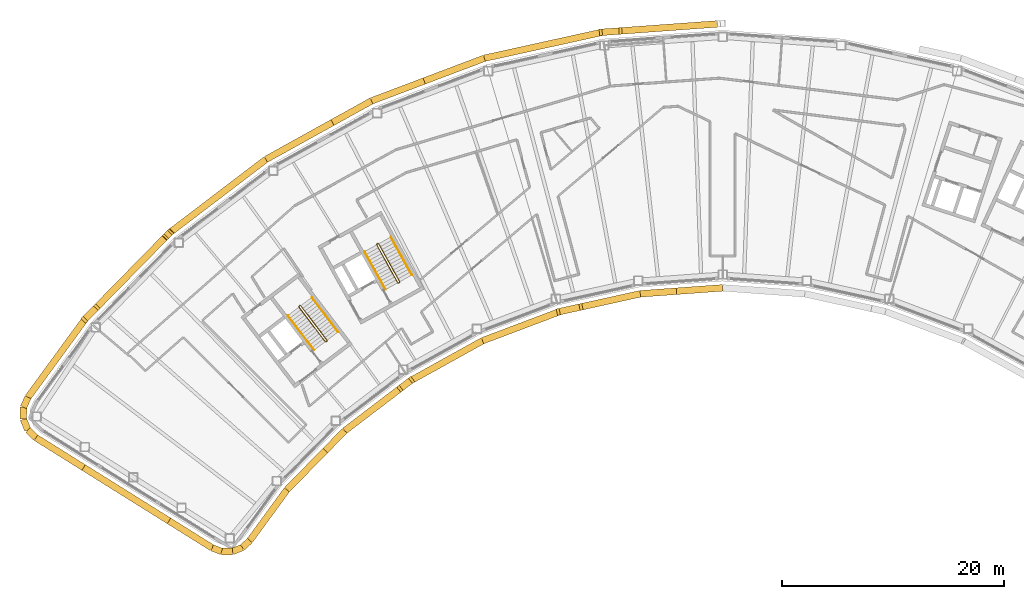
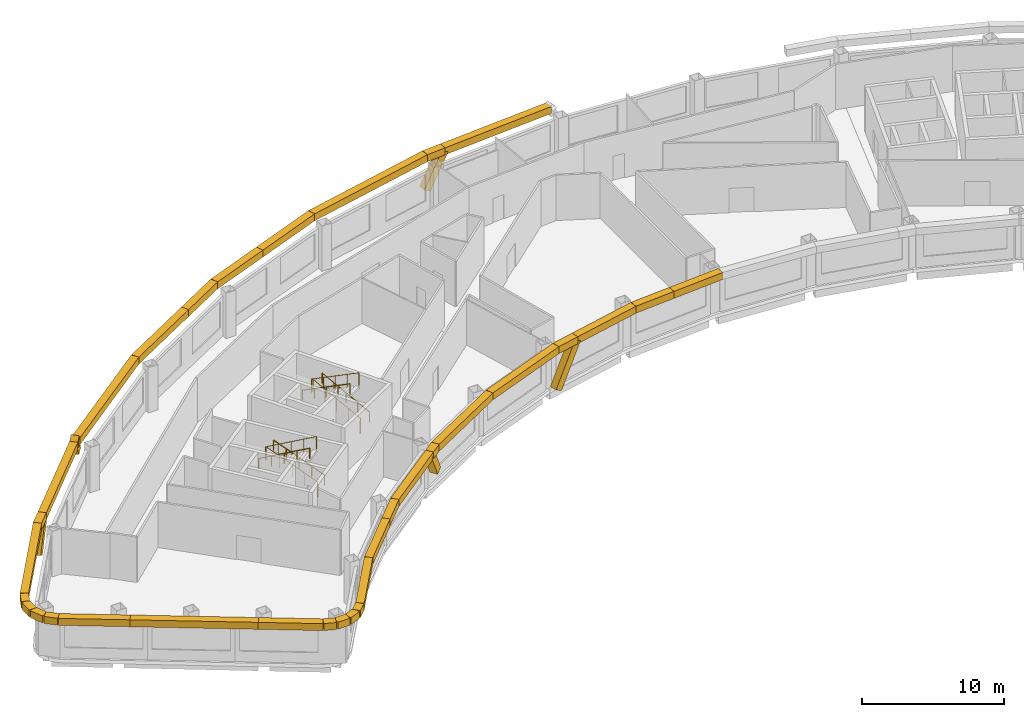
# One storey, part 12 of 13: 40 coverings, 6 railings.
"""IFC4 building model written with IfcOpenShell, lengths in metres."""

from ifc_helpers import new_model, si_unit, direction, frame, origin, origin_2d, place, context, subcontext, project, spatial, rectangle, circle, extrude, material, material_profile, profile_set, type_object, element, save


model = new_model("IFC4")

# Units and contexts
model_context = context("Model", 3, precision=1e-05, world=origin(), true_north=direction((0.0, 1.0)))
body_context = subcontext(model_context, "Body", "Model", "MODEL_VIEW")
ifc_project = project(units=[si_unit("LENGTHUNIT", "METRE"), si_unit("AREAUNIT", "SQUARE_METRE"), si_unit("VOLUMEUNIT", "CUBIC_METRE"), si_unit("PLANEANGLEUNIT", "RADIAN"), si_unit("MASSUNIT", "GRAM", prefix="KILO")], contexts=[model_context])

# Site, building, storey
site_placement = place(None, origin())
site = spatial("IfcSite", under=ifc_project, at=site_placement, CompositionType="ELEMENT")
building_placement = place(site_placement, origin())
building = spatial("IfcBuilding", under=site, at=building_placement, Name="Tuul Gate Civic Tower", CompositionType="ELEMENT")
storey_placement = place(building_placement, frame((0.0, 0.0, 340.699951171875)))
storey = spatial("IfcBuildingStorey", under=building, at=storey_placement, Name="Level 77", CompositionType="ELEMENT", Elevation=340.699951171875)

# Railings
ifc_material_1 = material(Name="Painted steel", Category="steel")
railing_type_1 = type_object("IfcRailingType", Name="Stair guard", PredefinedType="GUARDRAIL", material=ifc_material_1)
railing_1_placement = place(storey_placement, frame((-33.382080078125, -13.515380859375, 0.0)))
element("IfcRailing", 1, at=railing_1_placement, inside=storey, type_object=railing_type_1, Name="Level 77 ST-1 stair guard 1", PredefinedType="GUARDRAIL", context=body_context, shape_type="SweptSolid", body=[
    extrude(circle(Radius=0.02392578125, at=origin_2d()), frame((0.0, 0.0, 1.076171875), z_axis=(-0.795879841968, -0.605454603706, 0.0), x_axis=(0.605454603706, -0.795879841968, 0.0)), (0.0, 0.0, 1.0), 0.10009765625),
    extrude(circle(Radius=0.02392578125, at=origin_2d()), frame((-0.07958984375, -0.060546875, 1.076171875), z_axis=(0.408676696321, 0.599019267211, 0.688592241747), x_axis=(-0.826063974707, 0.563576356576, 0.0)), (0.0, 0.0, 1.0), 0.218017578125),
    extrude(circle(Radius=0.02392578125, at=origin_2d()), frame((0.009521484375, 0.070068359375, 1.22607421875), z_axis=(-0.541824460341, 0.711645023348, 0.447199748346), x_axis=(-0.795637165283, -0.60577347352, 0.0)), (0.0, 0.0, 1.0), 4.3603515625),
    extrude(circle(Radius=0.02392578125, at=origin_2d()), frame((-2.35302734375, 3.173095703125, 3.17626953125), z_axis=(-0.990893089246, 0.134650977284, 0.0), x_axis=(-0.134650977284, -0.990893089246, 0.0)), (0.0, 0.0, 1.0), 0.07080078125),
    extrude(circle(Radius=0.02392578125, at=origin_2d()), frame((-2.423095703125, 3.1826171875, 3.17626953125), z_axis=(-0.793802879778, -0.60817512943, 0.0), x_axis=(0.60817512943, -0.793802879778, 0.0)), (0.0, 0.0, 1.0), 0.099853515625),
    extrude(circle(Radius=0.02392578125, at=origin_2d()), frame((-2.50244140625, 3.121826171875, 3.17626953125), z_axis=(-0.057447065493, -0.422751481959, 0.904423031091), x_axis=(0.990893089246, -0.134650977284, 0.0)), (0.0, 0.0, 1.0), 0.165771484375),
    extrude(circle(Radius=0.02392578125, at=origin_2d()), frame((-2.511962890625, 3.0517578125, 3.326171875), z_axis=(0.541806494602, -0.71163897684, 0.447231136047), x_axis=(0.795644365679, 0.605764016233, 0.0)), (0.0, 0.0, 1.0), 4.360107421875),
    extrude(circle(Radius=0.02099609375, at=origin_2d()), origin(), (0.0, 0.0, 1.0), 1.052001953125),
    extrude(circle(Radius=0.02099609375, at=origin_2d()), frame((-0.07958984375, -0.060546875, 0.0)), (0.0, 0.0, 1.0), 1.052001953125),
    extrude(circle(Radius=0.02099609375, at=origin_2d()), frame((0.009521484375, 0.070068359375, 0.150146484375)), (0.0, 0.0, 1.0), 1.052001953125),
    extrude(circle(Radius=0.02099609375, at=origin_2d()), frame((-0.5810546875, 0.845703125, 0.6376953125)), (0.0, 0.0, 1.0), 1.052001953125),
    extrude(circle(Radius=0.02099609375, at=origin_2d()), frame((-1.171875, 1.62158203125, 1.125)), (0.0, 0.0, 1.0), 1.052001953125),
    extrude(circle(Radius=0.02099609375, at=origin_2d()), frame((-1.762451171875, 2.3974609375, 1.612548828125)), (0.0, 0.0, 1.0), 1.052001953125),
    extrude(circle(Radius=0.02099609375, at=origin_2d()), frame((-2.35302734375, 3.173095703125, 2.10009765625)), (0.0, 0.0, 1.0), 1.052001953125),
    extrude(circle(Radius=0.02099609375, at=origin_2d()), frame((-2.423095703125, 3.1826171875, 2.10009765625)), (0.0, 0.0, 1.0), 1.052001953125),
    extrude(circle(Radius=0.02099609375, at=origin_2d()), frame((-2.50244140625, 3.121826171875, 2.10009765625)), (0.0, 0.0, 1.0), 1.052001953125),
    extrude(circle(Radius=0.02099609375, at=origin_2d()), frame((-2.511962890625, 3.0517578125, 2.25)), (0.0, 0.0, 1.0), 1.052001953125),
    extrude(circle(Radius=0.02099609375, at=origin_2d()), frame((-1.92138671875, 2.276123046875, 2.737548828125)), (0.0, 0.0, 1.0), 1.052001953125),
    extrude(circle(Radius=0.02099609375, at=origin_2d()), frame((-1.330810546875, 1.50048828125, 3.22509765625)), (0.0, 0.0, 1.0), 1.052001953125),
    extrude(circle(Radius=0.02099609375, at=origin_2d()), frame((-0.740234375, 0.724609375, 3.71240234375)), (0.0, 0.0, 1.0), 1.052001953125),
    extrude(circle(Radius=0.02099609375, at=origin_2d()), frame((-0.149658203125, -0.051025390625, 4.199951171875)), (0.0, 0.0, 1.0), 1.052001953125),
])
railing_2_placement = place(storey_placement, frame((-26.857666015625, -8.247314453125, 0.0)))
element("IfcRailing", 2, at=railing_2_placement, inside=storey, type_object=railing_type_1, Name="Level 77 ST-2 stair guard 1", PredefinedType="GUARDRAIL", context=body_context, shape_type="SweptSolid", body=[
    extrude(circle(Radius=0.02392578125, at=origin_2d()), frame((0.0, 0.0, 1.076171875), z_axis=(-0.874616555828, -0.48481530532, 0.0), x_axis=(0.48481530532, -0.874616555828, 0.0)), (0.0, 0.0, 1.0), 0.10009765625),
    extrude(circle(Radius=0.02392578125, at=origin_2d()), frame((-0.087646484375, -0.048583984375, 1.076171875), z_axis=(0.490435707169, 0.534104639999, 0.688625479244), x_axis=(-0.736576986774, 0.676353711126, 0.0)), (0.0, 0.0, 1.0), 0.218017578125),
    extrude(circle(Radius=0.02392578125, at=origin_2d()), frame((0.019287109375, 0.06787109375, 1.22607421875), z_axis=(-0.43354991378, 0.782327185242, 0.447212083348), x_axis=(-0.874667644053, -0.484723129681, 0.0)), (0.0, 0.0, 1.0), 4.3603515625),
    extrude(circle(Radius=0.02392578125, at=origin_2d()), frame((-1.87109375, 3.47900390625, 3.17626953125), z_axis=(-0.961263487578, 0.275631107549, 0.0), x_axis=(-0.275631107549, -0.961263487578, 0.0)), (0.0, 0.0, 1.0), 0.07080078125),
    extrude(circle(Radius=0.02392578125, at=origin_2d()), frame((-1.939208984375, 3.49853515625, 3.17626953125), z_axis=(-0.874042088414, -0.485850211157, 0.0), x_axis=(0.485850211157, -0.874042088414, 0.0)), (0.0, 0.0, 1.0), 0.10009765625),
    extrude(circle(Radius=0.02392578125, at=origin_2d()), frame((-2.026611328125, 3.449951171875, 3.17626953125), z_axis=(-0.117866478395, -0.409586012422, 0.90462522168), x_axis=(0.961000426733, -0.276546885391, 0.0)), (0.0, 0.0, 1.0), 0.165771484375),
    extrude(circle(Radius=0.02392578125, at=origin_2d()), frame((-2.046142578125, 3.382080078125, 3.326171875), z_axis=(0.433595379963, -0.782308193291, 0.447201226726), x_axis=(0.874641102302, 0.484771020343, 0.0)), (0.0, 0.0, 1.0), 4.3603515625),
    extrude(circle(Radius=0.02099609375, at=origin_2d()), origin(), (0.0, 0.0, 1.0), 1.052001953125),
    extrude(circle(Radius=0.02099609375, at=origin_2d()), frame((-0.087646484375, -0.048583984375, 0.0)), (0.0, 0.0, 1.0), 1.052001953125),
    extrude(circle(Radius=0.02099609375, at=origin_2d()), frame((0.019287109375, 0.06787109375, 0.150146484375)), (0.0, 0.0, 1.0), 1.052001953125),
    extrude(circle(Radius=0.02099609375, at=origin_2d()), frame((-0.453369140625, 0.920654296875, 0.6376953125)), (0.0, 0.0, 1.0), 1.052001953125),
    extrude(circle(Radius=0.02099609375, at=origin_2d()), frame((-0.92578125, 1.7734375, 1.125)), (0.0, 0.0, 1.0), 1.052001953125),
    extrude(circle(Radius=0.02099609375, at=origin_2d()), frame((-1.3984375, 2.626220703125, 1.612548828125)), (0.0, 0.0, 1.0), 1.052001953125),
    extrude(circle(Radius=0.02099609375, at=origin_2d()), frame((-1.87109375, 3.47900390625, 2.10009765625)), (0.0, 0.0, 1.0), 1.052001953125),
    extrude(circle(Radius=0.02099609375, at=origin_2d()), frame((-1.939208984375, 3.49853515625, 2.10009765625)), (0.0, 0.0, 1.0), 1.052001953125),
    extrude(circle(Radius=0.02099609375, at=origin_2d()), frame((-2.026611328125, 3.449951171875, 2.10009765625)), (0.0, 0.0, 1.0), 1.052001953125),
    extrude(circle(Radius=0.02099609375, at=origin_2d()), frame((-2.046142578125, 3.382080078125, 2.25)), (0.0, 0.0, 1.0), 1.052001953125),
    extrude(circle(Radius=0.02099609375, at=origin_2d()), frame((-1.573486328125, 2.529296875, 2.737548828125)), (0.0, 0.0, 1.0), 1.052001953125),
    extrude(circle(Radius=0.02099609375, at=origin_2d()), frame((-1.100830078125, 1.676513671875, 3.22509765625)), (0.0, 0.0, 1.0), 1.052001953125),
    extrude(circle(Radius=0.02099609375, at=origin_2d()), frame((-0.628173828125, 0.82373046875, 3.71240234375)), (0.0, 0.0, 1.0), 1.052001953125),
    extrude(circle(Radius=0.02099609375, at=origin_2d()), frame((-0.155517578125, -0.029052734375, 4.199951171875)), (0.0, 0.0, 1.0), 1.052001953125),
])
ifc_material_2 = material(Name="Painted steel", Category="steel")
railing_type_2 = type_object("IfcRailingType", Name="Stair handrail", PredefinedType="HANDRAIL", material=ifc_material_2)
railing_3_placement = place(storey_placement, frame((-32.3779296875, -12.688232421875, 0.150146484375)))
element("IfcRailing", 3, at=railing_3_placement, inside=storey, type_object=railing_type_2, Name="Level 77 ST-1 stair handrail 1", PredefinedType="HANDRAIL", context=body_context, shape_type="SweptSolid", body=[
    extrude(circle(Radius=0.02392578125, at=origin_2d()), frame((0.0, 0.0, 0.8759765625), z_axis=(-0.541824460341, 0.711645023348, 0.447199748346), x_axis=(-0.795637165283, -0.60577347352, 0.0)), (0.0, 0.0, 1.0), 4.3603515625),
    extrude(circle(Radius=0.02099609375, at=origin_2d()), origin(), (0.0, 0.0, 1.0), 0.851806640625),
    extrude(circle(Radius=0.02099609375, at=origin_2d()), frame((-0.590576171875, 0.77587890625, 0.487548828125)), (0.0, 0.0, 1.0), 0.851806640625),
    extrude(circle(Radius=0.02099609375, at=origin_2d()), frame((-1.18115234375, 1.551513671875, 0.97509765625)), (0.0, 0.0, 1.0), 0.851806640625),
    extrude(circle(Radius=0.02099609375, at=origin_2d()), frame((-1.77197265625, 2.3271484375, 1.46240234375)), (0.0, 0.0, 1.0), 0.851806640625),
    extrude(circle(Radius=0.02099609375, at=origin_2d()), frame((-2.362548828125, 3.10302734375, 1.949951171875)), (0.0, 0.0, 1.0), 0.851806640625),
])
railing_4_placement = place(storey_placement, frame((-36.888671875, -11.220703125, 2.25)))
element("IfcRailing", 4, at=railing_4_placement, inside=storey, type_object=railing_type_2, Name="Level 77 ST-1 stair handrail 2", PredefinedType="HANDRAIL", context=body_context, shape_type="SweptSolid", body=[
    extrude(circle(Radius=0.02392578125, at=origin_2d()), frame((0.0, 0.0, 0.8759765625), z_axis=(0.541824460341, -0.711645023348, 0.447199748346), x_axis=(0.795637165283, 0.60577347352, 0.0)), (0.0, 0.0, 1.0), 4.3603515625),
    extrude(circle(Radius=0.02099609375, at=origin_2d()), origin(), (0.0, 0.0, 1.0), 0.851806640625),
    extrude(circle(Radius=0.02099609375, at=origin_2d()), frame((0.590576171875, -0.77587890625, 0.487548828125)), (0.0, 0.0, 1.0), 0.851806640625),
    extrude(circle(Radius=0.02099609375, at=origin_2d()), frame((1.18115234375, -1.551513671875, 0.97509765625)), (0.0, 0.0, 1.0), 0.851806640625),
    extrude(circle(Radius=0.02099609375, at=origin_2d()), frame((1.77197265625, -2.3271484375, 1.46240234375)), (0.0, 0.0, 1.0), 0.851806640625),
    extrude(circle(Radius=0.02099609375, at=origin_2d()), frame((2.362548828125, -3.10302734375, 1.949951171875)), (0.0, 0.0, 1.0), 0.851806640625),
])
railing_5_placement = place(storey_placement, frame((-25.744873046875, -7.573486328125, 0.150146484375)))
element("IfcRailing", 5, at=railing_5_placement, inside=storey, type_object=railing_type_2, Name="Level 77 ST-2 stair handrail 1", PredefinedType="HANDRAIL", context=body_context, shape_type="SweptSolid", body=[
    extrude(circle(Radius=0.02392578125, at=origin_2d()), frame((0.0, 0.0, 0.8759765625), z_axis=(-0.433595379963, 0.782308193291, 0.447201226726), x_axis=(-0.874641102302, -0.484771020343, 0.0)), (0.0, 0.0, 1.0), 4.3603515625),
    extrude(circle(Radius=0.02099609375, at=origin_2d()), origin(), (0.0, 0.0, 1.0), 0.851806640625),
    extrude(circle(Radius=0.02099609375, at=origin_2d()), frame((-0.47265625, 0.852783203125, 0.487548828125)), (0.0, 0.0, 1.0), 0.851806640625),
    extrude(circle(Radius=0.02099609375, at=origin_2d()), frame((-0.9453125, 1.70556640625, 0.97509765625)), (0.0, 0.0, 1.0), 0.851806640625),
    extrude(circle(Radius=0.02099609375, at=origin_2d()), frame((-1.41796875, 2.558349609375, 1.46240234375)), (0.0, 0.0, 1.0), 0.851806640625),
    extrude(circle(Radius=0.02099609375, at=origin_2d()), frame((-1.890625, 3.4111328125, 1.949951171875)), (0.0, 0.0, 1.0), 0.851806640625),
])
railing_6_placement = place(storey_placement, frame((-29.9970703125, -5.47119140625, 2.25)))
element("IfcRailing", 6, at=railing_6_placement, inside=storey, type_object=railing_type_2, Name="Level 77 ST-2 stair handrail 2", PredefinedType="HANDRAIL", context=body_context, shape_type="SweptSolid", body=[
    extrude(circle(Radius=0.02392578125, at=origin_2d()), frame((0.0, 0.0, 0.8759765625), z_axis=(0.433595379963, -0.782308193291, 0.447201226726), x_axis=(0.874641102302, 0.484771020343, 0.0)), (0.0, 0.0, 1.0), 4.3603515625),
    extrude(circle(Radius=0.02099609375, at=origin_2d()), origin(), (0.0, 0.0, 1.0), 0.851806640625),
    extrude(circle(Radius=0.02099609375, at=origin_2d()), frame((0.47265625, -0.852783203125, 0.487548828125)), (0.0, 0.0, 1.0), 0.851806640625),
    extrude(circle(Radius=0.02099609375, at=origin_2d()), frame((0.9453125, -1.70556640625, 0.97509765625)), (0.0, 0.0, 1.0), 0.851806640625),
    extrude(circle(Radius=0.02099609375, at=origin_2d()), frame((1.41796875, -2.558349609375, 1.46240234375)), (0.0, 0.0, 1.0), 0.851806640625),
    extrude(circle(Radius=0.02099609375, at=origin_2d()), frame((1.890625, -3.4111328125, 1.949951171875)), (0.0, 0.0, 1.0), 0.851806640625),
])

# Coverings
ifc_material_3 = material(Name="Terracotta baguette", Category="masonry")
ifc_material_profile = material_profile(ifc_material_3, rectangle(XDim=0.60009765625, YDim=0.60009765625, at=origin_2d()), Name="Terracotta baguette screen frame")
ifc_profile_set = profile_set([ifc_material_profile], Name="Terracotta baguette")
covering_type = type_object("IfcCoveringType", Name="Terracotta baguette screen frame", PredefinedType="CLADDING", material=ifc_profile_set)
covering_1_placement = place(storey_placement, frame((1.923583984375, 15.011474609375, 3.85009765625), z_axis=(-0.997388280851, -0.072226153297, 0.0), x_axis=(0.072226153297, -0.997388280851, 0.0)))
element("IfcCovering", 7, at=covering_1_placement, inside=storey, type_object=covering_type, Name="Baguette 78", PredefinedType="CLADDING", context=body_context, shape_type="SweptSolid", body=[
    extrude(rectangle(XDim=0.60009765625, YDim=0.60009765625, at=origin_2d()), origin(), (0.0, 0.0, 1.0), 9.072509765625),
])
covering_2_placement = place(storey_placement, frame((-7.125244140625, 14.356201171875, 3.85009765625), z_axis=(-0.473925270025, -0.034362464834, -0.879894345613), x_axis=(0.072316243879, -0.997381752826, 0.0)))
element("IfcCovering", 8, at=covering_2_placement, inside=storey, type_object=covering_type, Name="Baguette 83", PredefinedType="CLADDING", context=body_context, shape_type="SweptSolid", body=[
    extrude(rectangle(XDim=0.60009765625, YDim=0.60009765625, at=origin_2d()), origin(), (0.0, 0.0, 1.0), 3.17578125),
])
covering_3_placement = place(storey_placement, frame((-24.637939453125, 9.865478515625, 3.85009765625), z_axis=(-0.935351328768, -0.353720075442, 0.0), x_axis=(0.353720075442, -0.935351328768, 0.0)))
element("IfcCovering", 9, at=covering_3_placement, inside=storey, type_object=covering_type, Name="Baguette 99", PredefinedType="CLADDING", context=body_context, shape_type="SweptSolid", body=[
    extrude(rectangle(XDim=0.60009765625, YDim=0.60009765625, at=origin_2d()), origin(), (0.0, 0.0, 1.0), 5.06689453125),
])
covering_4_placement = place(storey_placement, frame((-29.377197265625, 8.0732421875, 3.85009765625), z_axis=(-0.874628361903, -0.484794006312, 0.0), x_axis=(0.484794006312, -0.874628361903, 0.0)))
element("IfcCovering", 10, at=covering_4_placement, inside=storey, type_object=covering_type, Name="Baguette 100", PredefinedType="CLADDING", context=body_context, shape_type="SweptSolid", body=[
    extrude(rectangle(XDim=0.60009765625, YDim=0.60009765625, at=origin_2d()), origin(), (0.0, 0.0, 1.0), 4.005615234375),
])
covering_5_placement = place(storey_placement, frame((-47.501708984375, -3.76123046875, 4.2646484375), z_axis=(-0.513496928153, -0.523902945403, -0.679592972723), x_axis=(0.714163745237, -0.699978674667, 0.0)))
element("IfcCovering", 11, at=covering_5_placement, inside=storey, type_object=covering_type, Name="Baguette 114", PredefinedType="CLADDING", context=body_context, shape_type="SweptSolid", body=[
    extrude(rectangle(XDim=0.60009765625, YDim=0.60009765625, at=origin_2d()), origin(), (0.0, 0.0, 1.0), 0.610107421875),
])
covering_6_placement = place(storey_placement, frame((-47.81494140625, -4.080810546875, 3.85009765625), z_axis=(0.332463914637, 0.339201297163, -0.880005809905), x_axis=(-0.714163745237, 0.699978674667, 0.0)))
element("IfcCovering", 12, at=covering_6_placement, inside=storey, type_object=covering_type, Name="Baguette 118", PredefinedType="CLADDING", context=body_context, shape_type="SweptSolid", body=[
    extrude(rectangle(XDim=0.60009765625, YDim=0.60009765625, at=origin_2d()), origin(), (0.0, 0.0, 1.0), 0.942138671875),
])
covering_7_placement = place(storey_placement, frame((-47.81494140625, -4.080810546875, 3.85009765625), z_axis=(-0.700034819682, -0.714108711075, 0.0), x_axis=(0.714108711075, -0.700034819682, 0.0)))
element("IfcCovering", 13, at=covering_7_placement, inside=storey, type_object=covering_type, Name="Baguette 120", PredefinedType="CLADDING", context=body_context, shape_type="SweptSolid", body=[
    extrude(rectangle(XDim=0.60009765625, YDim=0.60009765625, at=origin_2d()), origin(), (0.0, 0.0, 1.0), 9.072509765625),
])
covering_8_placement = place(storey_placement, frame((-54.166015625, -10.5595703125, 3.85009765625), z_axis=(-0.33267215135, -0.339297697341, -0.879889943285), x_axis=(0.714044065429, -0.70010075891, 0.0)))
element("IfcCovering", 14, at=covering_8_placement, inside=storey, type_object=covering_type, Name="Baguette 125", PredefinedType="CLADDING", context=body_context, shape_type="SweptSolid", body=[
    extrude(rectangle(XDim=0.60009765625, YDim=0.60009765625, at=origin_2d()), origin(), (0.0, 0.0, 1.0), 2.800537109375),
])
covering_9_placement = place(storey_placement, frame((-55.253662109375, -24.88232421875, 3.85009765625), z_axis=(0.848051326016, -0.529914095342, 0.0), x_axis=(0.529914095342, 0.848051326016, 0.0)))
element("IfcCovering", 15, at=covering_9_placement, inside=storey, type_object=covering_type, Name="Baguette 152", PredefinedType="CLADDING", context=body_context, shape_type="SweptSolid", body=[
    extrude(rectangle(XDim=0.60009765625, YDim=0.60009765625, at=origin_2d()), origin(), (0.0, 0.0, 1.0), 9.052978515625),
])
covering_10_placement = place(storey_placement, frame((-33.515869140625, -23.349853515625, 3.85009765625), z_axis=(0.700137306503, 0.714008229675, 0.0), x_axis=(-0.714008229675, 0.700137306503, 0.0)))
element("IfcCovering", 16, at=covering_10_placement, inside=storey, type_object=covering_type, Name="Baguette 184", PredefinedType="CLADDING", context=body_context, shape_type="SweptSolid", body=[
    extrude(rectangle(XDim=0.60009765625, YDim=0.60009765625, at=origin_2d()), origin(), (0.0, 0.0, 1.0), 2.481689453125),
])
covering_11_placement = place(storey_placement, frame((-31.7783203125, -21.577880859375, 3.85009765625), z_axis=(0.795568060783, 0.60586422626, 0.0), x_axis=(-0.60586422626, 0.795568060783, 0.0)))
element("IfcCovering", 17, at=covering_11_placement, inside=storey, type_object=covering_type, Name="Baguette 185", PredefinedType="CLADDING", context=body_context, shape_type="SweptSolid", body=[
    extrude(rectangle(XDim=0.60009765625, YDim=0.60009765625, at=origin_2d()), origin(), (0.0, 0.0, 1.0), 6.370361328125),
])
covering_12_placement = place(storey_placement, frame((-26.710205078125, -17.71826171875, 3.85009765625), z_axis=(0.370809590506, 0.282480203725, -0.884706268822), x_axis=(-0.605987035724, 0.795474520356, 0.0)))
element("IfcCovering", 18, at=covering_12_placement, inside=storey, type_object=covering_type, Name="Baguette 190", PredefinedType="CLADDING", context=body_context, shape_type="SweptSolid", body=[
    extrude(rectangle(XDim=0.60009765625, YDim=0.60009765625, at=origin_2d()), origin(), (0.0, 0.0, 1.0), 2.2470703125),
])
covering_13_placement = place(storey_placement, frame((-10.672607421875, -10.471923828125, 3.85009765625), z_axis=(-0.455229347503, -0.100335498866, -0.884702791247), x_axis=(0.215240395152, -0.976561095014, 0.0)))
element("IfcCovering", 19, at=covering_13_placement, inside=storey, type_object=covering_type, Name="Baguette 208", PredefinedType="CLADDING", context=body_context, shape_type="SweptSolid", body=[
    extrude(rectangle(XDim=0.60009765625, YDim=0.60009765625, at=origin_2d()), origin(), (0.0, 0.0, 1.0), 3.9052734375),
])
covering_14_placement = place(storey_placement, frame((-10.672607421875, -10.471923828125, 3.85009765625), z_axis=(0.97655816768, 0.215253676247, 0.0), x_axis=(-0.215253676247, 0.97655816768, 0.0)))
element("IfcCovering", 20, at=covering_14_placement, inside=storey, type_object=covering_type, Name="Baguette 210", PredefinedType="CLADDING", context=body_context, shape_type="SweptSolid", body=[
    extrude(rectangle(XDim=0.60009765625, YDim=0.60009765625, at=origin_2d()), origin(), (0.0, 0.0, 1.0), 5.59716796875),
])
covering_15_placement = place(storey_placement, frame((-5.20654296875, -9.26708984375, 3.85009765625), z_axis=(0.997387381497, 0.072238571629, 0.0), x_axis=(-0.072238571629, 0.997387381497, 0.0)))
element("IfcCovering", 21, at=covering_15_placement, inside=storey, type_object=covering_type, Name="Baguette 211", PredefinedType="CLADDING", context=body_context, shape_type="SweptSolid", body=[
    extrude(rectangle(XDim=0.60009765625, YDim=0.60009765625, at=origin_2d()), origin(), (0.0, 0.0, 1.0), 3.254638671875),
])
covering_16_placement = place(storey_placement, frame((-7.125244140625, 14.356201171875, 3.85009765625), z_axis=(-0.997381752826, -0.072316243879, 0.0), x_axis=(0.072316243879, -0.997381752826, 0.0)))
element("IfcCovering", 22, at=covering_16_placement, inside=storey, type_object=covering_type, Name="Baguette 308", PredefinedType="CLADDING", context=body_context, shape_type="SweptSolid", body=[
    extrude(rectangle(XDim=0.60009765625, YDim=0.60009765625, at=origin_2d()), origin(), (0.0, 0.0, 1.0), 1.509033203125),
])
covering_17_placement = place(storey_placement, frame((-8.63037109375, 14.2470703125, 3.85009765625), z_axis=(-0.976565652409, -0.215219716881, 0.0), x_axis=(0.215219716881, -0.976565652409, 0.0)))
element("IfcCovering", 23, at=covering_17_placement, inside=storey, type_object=covering_type, Name="Baguette 309", PredefinedType="CLADDING", context=body_context, shape_type="SweptSolid", body=[
    extrude(rectangle(XDim=0.60009765625, YDim=0.60009765625, at=origin_2d()), origin(), (0.0, 0.0, 1.0), 10.8515625),
])
covering_18_placement = place(storey_placement, frame((-19.2275390625, 11.91162109375, 3.85009765625), z_axis=(-0.93534552268, -0.353735428256, 0.0), x_axis=(0.353735428256, -0.93534552268, 0.0)))
element("IfcCovering", 24, at=covering_18_placement, inside=storey, type_object=covering_type, Name="Baguette 310", PredefinedType="CLADDING", context=body_context, shape_type="SweptSolid", body=[
    extrude(rectangle(XDim=0.60009765625, YDim=0.60009765625, at=origin_2d()), origin(), (0.0, 0.0, 1.0), 5.784423828125),
])
covering_19_placement = place(storey_placement, frame((-32.880615234375, 6.13134765625, 3.85009765625), z_axis=(-0.874626201683, -0.484797903595, 0.0), x_axis=(0.484797903595, -0.874626201683, 0.0)))
element("IfcCovering", 25, at=covering_19_placement, inside=storey, type_object=covering_type, Name="Baguette 314", PredefinedType="CLADDING", context=body_context, shape_type="SweptSolid", body=[
    extrude(rectangle(XDim=0.60009765625, YDim=0.60009765625, at=origin_2d()), origin(), (0.0, 0.0, 1.0), 6.845947265625),
])
covering_20_placement = place(storey_placement, frame((-38.8681640625, 2.8125, 3.85009765625), z_axis=(-0.795618643442, -0.605797799771, 0.0), x_axis=(0.605797799771, -0.795618643442, 0.0)))
element("IfcCovering", 26, at=covering_20_placement, inside=storey, type_object=covering_type, Name="Baguette 315", PredefinedType="CLADDING", context=body_context, shape_type="SweptSolid", body=[
    extrude(rectangle(XDim=0.60009765625, YDim=0.60009765625, at=origin_2d()), origin(), (0.0, 0.0, 1.0), 10.851318359375),
])
covering_21_placement = place(storey_placement, frame((-47.501708984375, -3.76123046875, 3.85009765625), z_axis=(-0.699978674667, -0.714163745237, 0.0), x_axis=(0.714163745237, -0.699978674667, 0.0)))
element("IfcCovering", 27, at=covering_21_placement, inside=storey, type_object=covering_type, Name="Baguette 316", PredefinedType="CLADDING", context=body_context, shape_type="SweptSolid", body=[
    extrude(rectangle(XDim=0.60009765625, YDim=0.60009765625, at=origin_2d()), origin(), (0.0, 0.0, 1.0), 0.447509765625),
])
covering_22_placement = place(storey_placement, frame((-54.166015625, -10.5595703125, 3.85009765625), z_axis=(-0.70010075891, -0.714044065429, 0.0), x_axis=(0.714044065429, -0.70010075891, 0.0)))
element("IfcCovering", 28, at=covering_22_placement, inside=storey, type_object=covering_type, Name="Baguette 324", PredefinedType="CLADDING", context=body_context, shape_type="SweptSolid", body=[
    extrude(rectangle(XDim=0.60009765625, YDim=0.60009765625, at=origin_2d()), origin(), (0.0, 0.0, 1.0), 1.330810546875),
])
covering_23_placement = place(storey_placement, frame((-55.09765625, -11.509765625, 3.85009765625), z_axis=(-0.589759370017, -0.807579027388, 0.0), x_axis=(0.807579027388, -0.589759370017, 0.0)))
element("IfcCovering", 29, at=covering_23_placement, inside=storey, type_object=covering_type, Name="Baguette 325", PredefinedType="CLADDING", context=body_context, shape_type="SweptSolid", body=[
    extrude(rectangle(XDim=0.60009765625, YDim=0.60009765625, at=origin_2d()), origin(), (0.0, 0.0, 1.0), 8.734619140625),
])
covering_24_placement = place(storey_placement, frame((-60.2490234375, -18.563720703125, 3.85009765625), z_axis=(-0.413598168861, -0.910459529422, 0.0), x_axis=(0.910459529422, -0.413598168861, 0.0)))
element("IfcCovering", 30, at=covering_24_placement, inside=storey, type_object=covering_type, Name="Baguette 326", PredefinedType="CLADDING", context=body_context, shape_type="SweptSolid", body=[
    extrude(rectangle(XDim=0.60009765625, YDim=0.60009765625, at=origin_2d()), origin(), (0.0, 0.0, 1.0), 0.988037109375),
])
covering_25_placement = place(storey_placement, frame((-60.65771484375, -19.46337890625, 3.85009765625), z_axis=(-0.014401798397, -0.999896288723, 0.0), x_axis=(0.999896288723, -0.014401798397, 0.0)))
element("IfcCovering", 31, at=covering_25_placement, inside=storey, type_object=covering_type, Name="Baguette 327", PredefinedType="CLADDING", context=body_context, shape_type="SweptSolid", body=[
    extrude(rectangle(XDim=0.60009765625, YDim=0.60009765625, at=origin_2d()), origin(), (0.0, 0.0, 1.0), 1.06787109375),
])
covering_26_placement = place(storey_placement, frame((-60.673095703125, -20.53125, 3.85009765625), z_axis=(0.38567152588, -0.92263615479, 0.0), x_axis=(0.92263615479, 0.38567152588, 0.0)))
element("IfcCovering", 32, at=covering_26_placement, inside=storey, type_object=covering_type, Name="Baguette 328", PredefinedType="CLADDING", context=body_context, shape_type="SweptSolid", body=[
    extrude(rectangle(XDim=0.60009765625, YDim=0.60009765625, at=origin_2d()), origin(), (0.0, 0.0, 1.0), 1.066650390625),
])
covering_27_placement = place(storey_placement, frame((-60.26171875, -21.515380859375, 3.85009765625), z_axis=(0.722013911671, -0.691878538006, 0.0), x_axis=(0.691878538006, 0.722013911671, 0.0)))
element("IfcCovering", 33, at=covering_27_placement, inside=storey, type_object=covering_type, Name="Baguette 329", PredefinedType="CLADDING", context=body_context, shape_type="SweptSolid", body=[
    extrude(rectangle(XDim=0.60009765625, YDim=0.60009765625, at=origin_2d()), origin(), (0.0, 0.0, 1.0), 0.98828125),
])
covering_28_placement = place(storey_placement, frame((-59.548095703125, -22.19921875, 3.85009765625), z_axis=(0.848079553138, -0.529868919215, 0.0), x_axis=(0.529868919215, 0.848079553138, 0.0)))
element("IfcCovering", 34, at=covering_28_placement, inside=storey, type_object=covering_type, Name="Baguette 330", PredefinedType="CLADDING", context=body_context, shape_type="SweptSolid", body=[
    extrude(rectangle(XDim=0.60009765625, YDim=0.60009765625, at=origin_2d()), origin(), (0.0, 0.0, 1.0), 5.063720703125),
])
covering_29_placement = place(storey_placement, frame((-47.576171875, -29.6796875, 3.85009765625), z_axis=(0.848067185831, -0.529888713143, 0.0), x_axis=(0.529888713143, 0.848067185831, 0.0)))
element("IfcCovering", 35, at=covering_29_placement, inside=storey, type_object=covering_type, Name="Baguette 332", PredefinedType="CLADDING", context=body_context, shape_type="SweptSolid", body=[
    extrude(rectangle(XDim=0.60009765625, YDim=0.60009765625, at=origin_2d()), origin(), (0.0, 0.0, 1.0), 4.579345703125),
])
covering_30_placement = place(storey_placement, frame((-43.692626953125, -32.106201171875, 3.85009765625), z_axis=(0.931801188997, -0.362969067807, 0.0), x_axis=(0.362969067807, 0.931801188997, 0.0)))
element("IfcCovering", 36, at=covering_30_placement, inside=storey, type_object=covering_type, Name="Baguette 333", PredefinedType="CLADDING", context=body_context, shape_type="SweptSolid", body=[
    extrude(rectangle(XDim=0.60009765625, YDim=0.60009765625, at=origin_2d()), origin(), (0.0, 0.0, 1.0), 0.9013671875),
])
covering_31_placement = place(storey_placement, frame((-42.852783203125, -32.433349609375, 3.85009765625), z_axis=(0.999996195982, 0.002758264332, 0.0), x_axis=(-0.002758264332, 0.999996195982, 0.0)))
element("IfcCovering", 37, at=covering_31_placement, inside=storey, type_object=covering_type, Name="Baguette 334", PredefinedType="CLADDING", context=body_context, shape_type="SweptSolid", body=[
    extrude(rectangle(XDim=0.60009765625, YDim=0.60009765625, at=origin_2d()), origin(), (0.0, 0.0, 1.0), 0.9736328125),
])
covering_32_placement = place(storey_placement, frame((-41.879150390625, -32.4306640625, 3.85009765625), z_axis=(0.929097482407, 0.369834920181, 0.0), x_axis=(-0.369834920181, 0.929097482407, 0.0)))
element("IfcCovering", 38, at=covering_32_placement, inside=storey, type_object=covering_type, Name="Baguette 335", PredefinedType="CLADDING", context=body_context, shape_type="SweptSolid", body=[
    extrude(rectangle(XDim=0.60009765625, YDim=0.60009765625, at=origin_2d()), origin(), (0.0, 0.0, 1.0), 0.974365234375),
])
covering_33_placement = place(storey_placement, frame((-40.973876953125, -32.0703125, 3.85009765625), z_axis=(0.730018523193, 0.68342735956, 0.0), x_axis=(-0.68342735956, 0.730018523193, 0.0)))
element("IfcCovering", 39, at=covering_33_placement, inside=storey, type_object=covering_type, Name="Baguette 336", PredefinedType="CLADDING", context=body_context, shape_type="SweptSolid", body=[
    extrude(rectangle(XDim=0.60009765625, YDim=0.60009765625, at=origin_2d()), origin(), (0.0, 0.0, 1.0), 0.9013671875),
])
covering_34_placement = place(storey_placement, frame((-40.31591796875, -31.454345703125, 3.85009765625), z_axis=(0.589729447422, 0.807600878432, 0.0), x_axis=(-0.807600878432, 0.589729447422, 0.0)))
element("IfcCovering", 40, at=covering_34_placement, inside=storey, type_object=covering_type, Name="Baguette 337", PredefinedType="CLADDING", context=body_context, shape_type="SweptSolid", body=[
    extrude(rectangle(XDim=0.60009765625, YDim=0.60009765625, at=origin_2d()), origin(), (0.0, 0.0, 1.0), 5.671142578125),
])
covering_35_placement = place(storey_placement, frame((-36.971435546875, -26.874267578125, 3.85009765625), z_axis=(0.700098115175, 0.714046657529, 0.0), x_axis=(-0.714046657529, 0.700098115175, 0.0)))
element("IfcCovering", 41, at=covering_35_placement, inside=storey, type_object=covering_type, Name="Baguette 338", PredefinedType="CLADDING", context=body_context, shape_type="SweptSolid", body=[
    extrude(rectangle(XDim=0.60009765625, YDim=0.60009765625, at=origin_2d()), origin(), (0.0, 0.0, 1.0), 4.935791015625),
])
covering_36_placement = place(storey_placement, frame((-26.710205078125, -17.71826171875, 3.85009765625), z_axis=(0.795474520356, 0.605987035724, 0.0), x_axis=(-0.605987035724, 0.795474520356, 0.0)))
element("IfcCovering", 42, at=covering_36_placement, inside=storey, type_object=covering_type, Name="Baguette 346", PredefinedType="CLADDING", context=body_context, shape_type="SweptSolid", body=[
    extrude(rectangle(XDim=0.60009765625, YDim=0.60009765625, at=origin_2d()), origin(), (0.0, 0.0, 1.0), 1.047607421875),
])
for number, where, z_axis, x_axis, name in (
    (43, (-25.876953125, -17.08349609375, 3.85009765625), (0.874630355477, 0.48479040964, 0.0), (-0.48479040964, 0.874630355477, 0.0), "Baguette 347"),
    (44, (-19.388916015625, -13.4873046875, 3.85009765625), (0.935368082117, 0.353675770951, 0.0), (-0.353675770951, 0.935368082117, 0.0), "Baguette 348"),
):
    element("IfcCovering", number, at=place(storey_placement, frame(where, z_axis=z_axis, x_axis=x_axis)), inside=storey, type_object=covering_type, Name=name, PredefinedType="CLADDING", context=body_context, shape_type="SweptSolid", body=[
        extrude(rectangle(XDim=0.60009765625, YDim=0.60009765625, at=origin_2d()), origin(), (0.0, 0.0, 1.0), 7.41796875),
    ])
covering_37_placement = place(storey_placement, frame((-12.450439453125, -10.86376953125, 3.85009765625), z_axis=(0.976561095014, 0.215240395152, 0.0), x_axis=(-0.215240395152, 0.976561095014, 0.0)))
element("IfcCovering", 45, at=covering_37_placement, inside=storey, type_object=covering_type, Name="Baguette 349", PredefinedType="CLADDING", context=body_context, shape_type="SweptSolid", body=[
    extrude(rectangle(XDim=0.60009765625, YDim=0.60009765625, at=origin_2d()), origin(), (0.0, 0.0, 1.0), 1.820556640625),
])
covering_38_placement = place(storey_placement, frame((-1.96044921875, -9.031982421875, 3.85009765625), z_axis=(0.997382528722, 0.072305541975, 0.0), x_axis=(-0.072305541975, 0.997382528722, 0.0)))
element("IfcCovering", 46, at=covering_38_placement, inside=storey, type_object=covering_type, Name="Baguette 357", PredefinedType="CLADDING", context=body_context, shape_type="SweptSolid", body=[
    extrude(rectangle(XDim=0.60009765625, YDim=0.60009765625, at=origin_2d()), origin(), (0.0, 0.0, 1.0), 4.163330078125),
])

save(model, "model.ifc")
